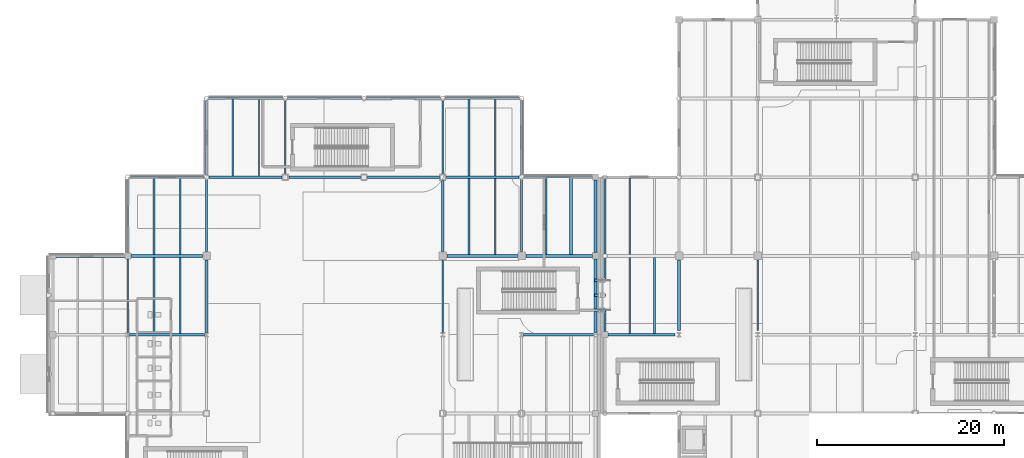
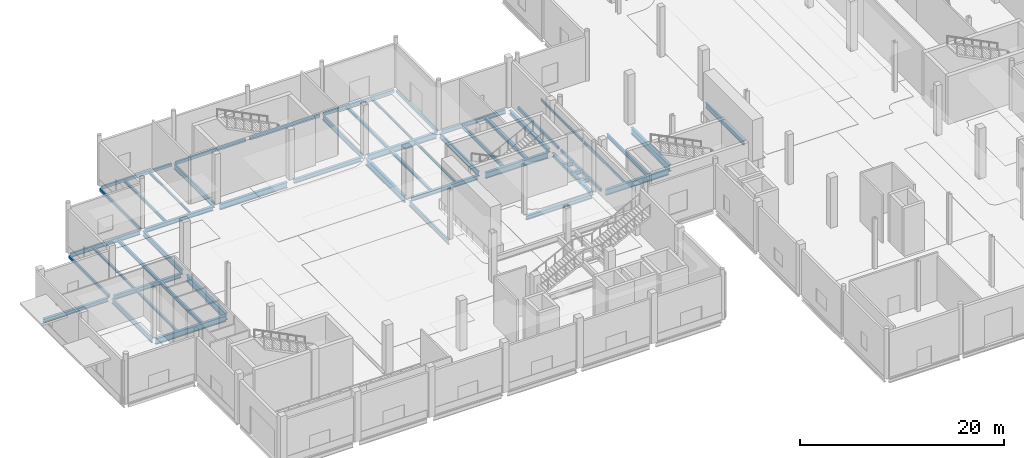
# One storey, part 21 of 85: 52 beams.
"""IFC4 building model written with IfcOpenShell, lengths in metres."""

import ifcopenshell
import ifcopenshell.guid

model = None  # the IFC model being written
_history = None  # IfcOwnerHistory: only IFC2X3 demands one
_inside = {}  # id of a spatial element -> (the spatial element, [elements in it])
_under = {}  # id of a project, library or spatial element -> (it, [spatial elements below it])
_declared = {}  # id of a project -> (the project, [libraries it declares])
_typed = {}  # id of a type object -> (the type object, [elements of that type])
_made_of = {}  # id of a material, layer set ... -> (it, [elements and type objects made of it])


def new_model(schema):
    """Start an empty IFC model of exactly this schema.

    Asked for "IFC4X3", IfcOpenShell would pick the latest addendum, in which some entities
    have other attributes; the version numbers below select the first issue.
    IFC2X3 requires an IfcOwnerHistory on every rooted entity: one is made here for all.
    """
    global model, _history
    if schema == "IFC4X3":
        model = ifcopenshell.file(schema_version=(4, 3, 0, 0))
    else:
        model = ifcopenshell.file(schema=schema)
    _inside.clear()
    _under.clear()
    _declared.clear()
    _typed.clear()
    _made_of.clear()
    _history = None
    if model.schema == "IFC2X3":
        org = make("IfcOrganization", Name="unknown")
        user = make(
            "IfcPersonAndOrganization",
            ThePerson=make("IfcPerson", FamilyName="unknown"),
            TheOrganization=org,
        )
        app = make(
            "IfcApplication",
            ApplicationDeveloper=org,
            Version="unknown",
            ApplicationFullName="unknown",
            ApplicationIdentifier="unknown",
        )
        _history = make(
            "IfcOwnerHistory",
            OwningUser=user,
            OwningApplication=app,
            ChangeAction="ADDED",
            CreationDate=0,
        )
    return model


def make(cls, **values):
    """One entity of the class cls with the attributes given. An attribute that is None is left unset."""
    return model.create_entity(
        cls, **{name: value for name, value in values.items() if value is not None}
    )


def rooted(cls, **values):
    """An entity with a GlobalId (a new one), such as an element, a storey or a relation."""
    return make(cls, GlobalId=ifcopenshell.guid.new(), OwnerHistory=_history, **values)


def si_unit(unit_type, name, prefix=None):
    """IfcSIUnit, for example si_unit("LENGTHUNIT", "METRE", prefix="MILLI")."""
    return make("IfcSIUnit", UnitType=unit_type, Prefix=prefix, Name=name)


def assignment(units):
    """IfcUnitAssignment: the units of a project."""
    return None if units is None else make("IfcUnitAssignment", Units=units)


def point(xyz):
    """IfcCartesianPoint."""
    return None if xyz is None else make("IfcCartesianPoint", Coordinates=xyz)


def direction(xyz):
    """IfcDirection."""
    return None if xyz is None else make("IfcDirection", DirectionRatios=xyz)


def frame(location, z_axis=None, x_axis=None):
    """IfcAxis2Placement3D, a coordinate frame: its origin and axes. An axis left out is left unset."""
    return make(
        "IfcAxis2Placement3D",
        Location=point(location),
        Axis=direction(z_axis),
        RefDirection=direction(x_axis),
    )


def frame_2d(location, x_axis=None):
    """IfcAxis2Placement2D, a coordinate frame in the plane: its origin and x axis."""
    return make(
        "IfcAxis2Placement2D", Location=point(location), RefDirection=direction(x_axis)
    )


def origin():
    """The frame at (0, 0, 0) with its axes left unset."""
    return frame((0.0, 0.0, 0.0))


def origin_2d():
    """The frame at (0, 0) in the plane with its x axis left unset."""
    return frame_2d((0.0, 0.0))


def place(relative_to, where):
    """IfcLocalPlacement: puts the frame where relative to a parent placement (None: the world)."""
    return make(
        "IfcLocalPlacement", PlacementRelTo=relative_to, RelativePlacement=where
    )


def context(
    kind, dimensions, precision=None, world=None, true_north=None, identifier=None
):
    """IfcGeometricRepresentationContext, for example the 3D "Model" context."""
    return make(
        "IfcGeometricRepresentationContext",
        ContextIdentifier=identifier,
        ContextType=kind,
        CoordinateSpaceDimension=dimensions,
        Precision=precision,
        WorldCoordinateSystem=world,
        TrueNorth=true_north,
    )


def subcontext(parent, identifier, kind, view, scale=None):
    """IfcGeometricRepresentationSubContext, for example "Body" below "Model"."""
    return make(
        "IfcGeometricRepresentationSubContext",
        ContextIdentifier=identifier,
        ContextType=kind,
        ParentContext=parent,
        TargetScale=scale,
        TargetView=view,
    )


def project(units=None, contexts=None):
    """IfcProject with its units and contexts."""
    return rooted(
        "IfcProject",
        Name="project",
        RepresentationContexts=contexts,
        UnitsInContext=assignment(units),
    )


def spatial(cls, under=None, at=None, **own):
    """A site, building, storey or space (cls), placed at a placement, below another one or the project."""
    s = rooted(cls, ObjectPlacement=at, **own)
    if under is not None:
        _under.setdefault(under.id(), (under, []))[1].append(s)
    return s


def profile(cls, at=None, kind="AREA", **sizes):
    """A parametric profile (cls). Its sizes go by their IFC names, for example OverallWidth=200.0."""
    return make(cls, ProfileType=kind, Position=at, **sizes)


def hollow_rectangle(**sizes):
    """IfcRectangleHollowProfileDef."""
    return profile("IfcRectangleHollowProfileDef", **sizes)


def i_section(**sizes):
    """IfcIShapeProfileDef."""
    return profile("IfcIShapeProfileDef", **sizes)


def extrude(swept, where, along, depth):
    """IfcExtrudedAreaSolid: the profile swept, set in the frame where, extruded along a direction by depth."""
    return make(
        "IfcExtrudedAreaSolid",
        SweptArea=swept,
        Position=where,
        ExtrudedDirection=direction(along),
        Depth=depth,
    )


def shape(context_of_items, identifier, shape_type, items):
    """IfcShapeRepresentation: the items that make up one representation, for example the "Body"."""
    return make(
        "IfcShapeRepresentation",
        ContextOfItems=context_of_items,
        RepresentationIdentifier=identifier,
        RepresentationType=shape_type,
        Items=items,
    )


def material(Name=None, Category=None):
    """IfcMaterial."""
    return make("IfcMaterial", Name=Name, Category=Category)


def material_profile(
    of_material, cross_section, Name=None, Category=None, Priority=None
):
    """IfcMaterialProfile: a cross section and its material."""
    return make(
        "IfcMaterialProfile",
        Name=Name,
        Material=of_material,
        Profile=cross_section,
        Priority=Priority,
        Category=Category,
    )


def profile_set(profiles, Name=None, composite=None):
    """IfcMaterialProfileSet."""
    return make(
        "IfcMaterialProfileSet",
        Name=Name,
        MaterialProfiles=profiles,
        CompositeProfile=composite,
    )


def made_of(thing, what):
    """Note that an element or type object is made of a material, layer set ...; save() writes the relation."""
    if what is not None:
        _made_of.setdefault(what.id(), (what, []))[1].append(thing)
    return thing


def type_object(cls, material=None, **own):
    """A type object (cls), such as IfcWallType, which elements share."""
    return made_of(rooted(cls, **own), material)


def element(
    cls,
    number,
    at=None,
    inside=None,
    cuts=None,
    type_object=None,
    material=None,
    context=None,
    identifier="Body",
    shape_type=None,
    held_by="IfcProductDefinitionShape",
    body=None,
    shapes=None,
    **own,
):
    """One element of the class cls, such as IfcWall. Its Tag is "e" and its number.

    at: its placement. inside: the storey or other place that contains it. cuts: it is an
    opening in that element (IfcRelVoidsElement). A single representation is given by context,
    identifier, shape_type and body (its items); several are given by shapes. held_by: the class
    of the entity that holds the representations. save() writes the other relations.
    """
    e = rooted(cls, Tag="e%d" % number, ObjectPlacement=at, **own)
    if body is not None:
        shapes = [shape(context, identifier, shape_type, body)]
    if shapes is not None:
        e.Representation = make(held_by, Representations=shapes)
    if inside is not None:
        _inside.setdefault(inside.id(), (inside, []))[1].append(e)
    if cuts is not None:
        rooted(
            "IfcRelVoidsElement", RelatingBuildingElement=cuts, RelatedOpeningElement=e
        )
    if type_object is not None:
        _typed.setdefault(type_object.id(), (type_object, []))[1].append(e)
    return made_of(e, material)


def aggregate(whole, parts):
    """IfcRelAggregates: a whole, such as a stair, and the parts it consists of."""
    return rooted("IfcRelAggregates", RelatingObject=whole, RelatedObjects=parts)


def save(model, path):
    """Write the relations noted so far, then the file.

    IfcRelAggregates (storeys below a building ...), IfcRelContainedInSpatialStructure (elements
    in a storey), IfcRelDefinesByType, IfcRelAssociatesMaterial and IfcRelDeclares: one each for
    every whole, place, type object, material and project.
    """
    for whole, parts in _under.values():
        aggregate(whole, parts)
    for where, things in _inside.values():
        rooted(
            "IfcRelContainedInSpatialStructure",
            RelatedElements=things,
            RelatingStructure=where,
        )
    for kind, things in _typed.values():
        rooted("IfcRelDefinesByType", RelatedObjects=things, RelatingType=kind)
    for what, things in _made_of.values():
        rooted("IfcRelAssociatesMaterial", RelatedObjects=things, RelatingMaterial=what)
    for by, libraries in _declared.values():
        rooted("IfcRelDeclares", RelatingContext=by, RelatedDefinitions=libraries)
    model.write(path)


model = new_model("IFC4")

# Units and contexts
model_context = context("Model", 3, precision=1e-05, world=origin(), true_north=direction((0.0, 1.0)))
body_context = subcontext(model_context, "Body", "Model", "MODEL_VIEW")
ifc_project = project(units=[si_unit("LENGTHUNIT", "METRE"), si_unit("AREAUNIT", "SQUARE_METRE"), si_unit("VOLUMEUNIT", "CUBIC_METRE"), si_unit("PLANEANGLEUNIT", "RADIAN"), si_unit("MASSUNIT", "GRAM", prefix="KILO"), si_unit("THERMODYNAMICTEMPERATUREUNIT", "KELVIN")], contexts=[model_context])

# Site, building, storey
site_placement = place(None, origin())
site = spatial("IfcSite", under=ifc_project, at=site_placement, CompositionType="ELEMENT")
building_placement = place(site_placement, origin())
building = spatial("IfcBuilding", under=site, at=building_placement, Name="Lustrewick Department Store", CompositionType="ELEMENT")
storey_placement = place(building_placement, origin())
storey = spatial("IfcBuildingStorey", under=building, at=storey_placement, Name="L01", CompositionType="ELEMENT", Elevation=0.0)

# Beams
ifc_material_1 = material(Name="Structural steel Q355B", Category="steel")
ifc_material_profile_1 = material_profile(ifc_material_1, i_section(OverallWidth=0.199951171875, OverallDepth=0.449951171875, WebThickness=0.009033203125, FlangeThickness=0.013916015625, FilletRadius=0.01611328125, at=origin_2d()), Name="HN 450x200x9x14")
ifc_profile_set_1 = profile_set([ifc_material_profile_1], Name="Structural steel Q355B")
beam_type_1 = type_object("IfcBeamType", Name="B03", PredefinedType="JOIST", material=ifc_profile_set_1)
beam_1_placement = place(storey_placement, frame((53.033203125, 75.75, -0.4951171875), z_axis=(0.0, 1.0, 0.0), x_axis=(-1.0, 0.0, 0.0)))
element("IfcBeam", 1, at=beam_1_placement, inside=storey, type_object=beam_type_1, Name="L01 V1 Secondary Joist B03", PredefinedType="JOIST", context=body_context, shape_type="SweptSolid", body=[
    extrude(i_section(OverallWidth=0.199951171875, OverallDepth=0.449951171875, WebThickness=0.009033203125, FlangeThickness=0.013916015625, FilletRadius=0.01611328125, at=origin_2d()), origin(), (0.0, 0.0, 1.0), 8.1494140625),
])
beam_2_placement = place(storey_placement, frame((64.566650390625, 67.35009765625, -0.4951171875), z_axis=(0.0, 1.0, 0.0), x_axis=(-1.0, 0.0, 0.0)))
element("IfcBeam", 2, at=beam_2_placement, inside=storey, type_object=beam_type_1, Name="L01 V2 Secondary Joist B03", PredefinedType="JOIST", context=body_context, shape_type="SweptSolid", body=[
    extrude(i_section(OverallWidth=0.199951171875, OverallDepth=0.449951171875, WebThickness=0.009033203125, FlangeThickness=0.013916015625, FilletRadius=0.01611328125, at=origin_2d()), origin(), (0.0, 0.0, 1.0), 8.099853515625),
])
ifc_material_profile_2 = material_profile(ifc_material_1, i_section(OverallWidth=0.198974609375, OverallDepth=0.446044921875, WebThickness=0.008056640625, FlangeThickness=0.011962890625, FilletRadius=0.01611328125, at=origin_2d()), Name="HN 446x199x8x12")
ifc_profile_set_2 = profile_set([ifc_material_profile_2], Name="Structural steel Q355B")
beam_type_2 = type_object("IfcBeamType", Name="B04", PredefinedType="JOIST", material=ifc_profile_set_2)
beam_3_placement = place(storey_placement, frame((14.0, 67.35009765625, -0.492919921875), z_axis=(0.0, 1.0, 0.0), x_axis=(-1.0, 0.0, 0.0)))
element("IfcBeam", 3, at=beam_3_placement, inside=storey, type_object=beam_type_2, Name="L01 V1 Secondary Joist B04", PredefinedType="JOIST", context=body_context, shape_type="SweptSolid", body=[
    extrude(i_section(OverallWidth=0.198974609375, OverallDepth=0.446044921875, WebThickness=0.008056640625, FlangeThickness=0.011962890625, FilletRadius=0.01611328125, at=origin_2d()), origin(), (0.0, 0.0, 1.0), 8.099853515625),
])
beam_4_placement = place(storey_placement, frame((14.0, 75.75, -0.492919921875), z_axis=(0.0, 1.0, 0.0), x_axis=(-1.0, 0.0, 0.0)))
element("IfcBeam", 4, at=beam_4_placement, inside=storey, type_object=beam_type_2, Name="L01 V1 Secondary Joist B04", PredefinedType="JOIST", context=body_context, shape_type="SweptSolid", body=[
    extrude(i_section(OverallWidth=0.198974609375, OverallDepth=0.446044921875, WebThickness=0.008056640625, FlangeThickness=0.011962890625, FilletRadius=0.01611328125, at=origin_2d()), origin(), (0.0, 0.0, 1.0), 8.1494140625),
])
ifc_material_profile_3 = material_profile(ifc_material_1, i_section(OverallWidth=0.300048828125, OverallDepth=0.389892578125, WebThickness=0.010009765625, FlangeThickness=0.01611328125, FilletRadius=0.01806640625, at=origin_2d()), Name="HM 390x300x10x16")
ifc_profile_set_3 = profile_set([ifc_material_profile_3], Name="Structural steel Q355B")
beam_type_3 = type_object("IfcBeamType", Name="B07", PredefinedType="JOIST", material=ifc_profile_set_3)
beam_5_placement = place(storey_placement, frame((55.666748046875, 75.75, -0.465087890625), z_axis=(0.0, 1.0, 0.0), x_axis=(-1.0, 0.0, 0.0)))
element("IfcBeam", 5, at=beam_5_placement, inside=storey, type_object=beam_type_3, Name="L01 V1 Secondary Joist B07", PredefinedType="JOIST", context=body_context, shape_type="SweptSolid", body=[
    extrude(i_section(OverallWidth=0.300048828125, OverallDepth=0.389892578125, WebThickness=0.010009765625, FlangeThickness=0.01611328125, FilletRadius=0.01806640625, at=origin_2d()), origin(), (0.0, 0.0, 1.0), 8.1494140625),
])
ifc_material_profile_4 = material_profile(ifc_material_1, i_section(OverallWidth=0.25, OverallDepth=0.340087890625, WebThickness=0.009033203125, FlangeThickness=0.013916015625, FilletRadius=0.01611328125, at=origin_2d()), Name="HM 340x250x9x14")
ifc_profile_set_4 = profile_set([ifc_material_profile_4], Name="Structural steel Q355B")
beam_type_4 = type_object("IfcBeamType", Name="B08", PredefinedType="JOIST", material=ifc_profile_set_4)
beam_6_placement = place(storey_placement, frame((44.800048828125, 75.75, -0.43994140625), z_axis=(0.0, 1.0, 0.0), x_axis=(-1.0, 0.0, 0.0)))
element("IfcBeam", 6, at=beam_6_placement, inside=storey, type_object=beam_type_4, Name="L01 V1 Secondary Joist B08", PredefinedType="JOIST", context=body_context, shape_type="SweptSolid", body=[
    extrude(i_section(OverallWidth=0.25, OverallDepth=0.340087890625, WebThickness=0.009033203125, FlangeThickness=0.013916015625, FilletRadius=0.01611328125, at=origin_2d()), origin(), (0.0, 0.0, 1.0), 8.10009765625),
])
beam_7_placement = place(storey_placement, frame((44.800048828125, 84.14990234375, -0.43994140625), z_axis=(0.0, 1.0, 0.0), x_axis=(-1.0, 0.0, 0.0)))
element("IfcBeam", 7, at=beam_7_placement, inside=storey, type_object=beam_type_4, Name="L01 V1 Secondary Joist B08", PredefinedType="JOIST", context=body_context, shape_type="SweptSolid", body=[
    extrude(i_section(OverallWidth=0.25, OverallDepth=0.340087890625, WebThickness=0.009033203125, FlangeThickness=0.013916015625, FilletRadius=0.01611328125, at=origin_2d()), origin(), (0.0, 0.0, 1.0), 8.150146484375),
])
ifc_material_profile_5 = material_profile(ifc_material_1, i_section(OverallWidth=0.175048828125, OverallDepth=0.35009765625, WebThickness=0.007080078125, FlangeThickness=0.010986328125, FilletRadius=0.012939453125, at=origin_2d()), Name="HN 350x175x7x11")
ifc_profile_set_5 = profile_set([ifc_material_profile_5], Name="Structural steel Q355B")
beam_type_5 = type_object("IfcBeamType", Name="B09", PredefinedType="JOIST", material=ifc_profile_set_5)
beam_8_placement = place(storey_placement, frame((19.60009765625, 84.14990234375, -0.445068359375), z_axis=(0.0, 1.0, 0.0), x_axis=(-1.0, 0.0, 0.0)))
element("IfcBeam", 8, at=beam_8_placement, inside=storey, type_object=beam_type_5, Name="L01 V1 Secondary Joist B09", PredefinedType="JOIST", context=body_context, shape_type="SweptSolid", body=[
    extrude(i_section(OverallWidth=0.175048828125, OverallDepth=0.35009765625, WebThickness=0.007080078125, FlangeThickness=0.010986328125, FilletRadius=0.012939453125, at=origin_2d()), origin(), (0.0, 0.0, 1.0), 8.150146484375),
])
ifc_material_profile_6 = material_profile(ifc_material_1, i_section(OverallWidth=0.14892578125, OverallDepth=0.298095703125, WebThickness=0.005615234375, FlangeThickness=0.008056640625, FilletRadius=0.011962890625, at=origin_2d()), Name="HN 298x149x5.5x8")
ifc_profile_set_6 = profile_set([ifc_material_profile_6], Name="Structural steel Q355B")
beam_type_6 = type_object("IfcBeamType", Name="B12", PredefinedType="JOIST", material=ifc_profile_set_6)
beam_9_placement = place(storey_placement, frame((47.60009765625, 75.75, -0.4189453125), z_axis=(0.0, 1.0, 0.0), x_axis=(-1.0, 0.0, 0.0)))
element("IfcBeam", 9, at=beam_9_placement, inside=storey, type_object=beam_type_6, Name="L01 V1 Secondary Joist B12", PredefinedType="JOIST", context=body_context, shape_type="SweptSolid", body=[
    extrude(i_section(OverallWidth=0.14892578125, OverallDepth=0.298095703125, WebThickness=0.005615234375, FlangeThickness=0.008056640625, FilletRadius=0.011962890625, at=origin_2d()), origin(), (0.0, 0.0, 1.0), 8.10009765625),
])
for number, where, z_axis, x_axis, name in (
    (10, (22.39990234375, 84.14990234375, -0.4189453125), (0.0, 1.0, 0.0), (-1.0, 0.0, 0.0), "L01 V1 Secondary Joist B12"),
    (11, (47.60009765625, 84.14990234375, -0.4189453125), (0.0, 1.0, 0.0), (-1.0, 0.0, 0.0), "L01 V1 Secondary Joist B12"),
):
    element("IfcBeam", number, at=place(storey_placement, frame(where, z_axis=z_axis, x_axis=x_axis)), inside=storey, type_object=beam_type_6, Name=name, PredefinedType="JOIST", context=body_context, shape_type="SweptSolid", body=[
        extrude(i_section(OverallWidth=0.14892578125, OverallDepth=0.298095703125, WebThickness=0.005615234375, FlangeThickness=0.008056640625, FilletRadius=0.011962890625, at=origin_2d()), origin(), (0.0, 0.0, 1.0), 8.150146484375),
    ])
beam_10_placement = place(storey_placement, frame((61.933349609375, 67.35009765625, -0.4189453125), z_axis=(0.0, 1.0, 0.0), x_axis=(-1.0, 0.0, 0.0)))
element("IfcBeam", 12, at=beam_10_placement, inside=storey, type_object=beam_type_6, Name="L01 V2 Secondary Joist B12", PredefinedType="JOIST", context=body_context, shape_type="SweptSolid", body=[
    extrude(i_section(OverallWidth=0.14892578125, OverallDepth=0.298095703125, WebThickness=0.005615234375, FlangeThickness=0.008056640625, FilletRadius=0.011962890625, at=origin_2d()), origin(), (0.0, 0.0, 1.0), 8.099853515625),
])
beam_11_placement = place(storey_placement, frame((61.933349609375, 75.75, -0.4189453125), z_axis=(0.0, 1.0, 0.0), x_axis=(-1.0, 0.0, 0.0)))
element("IfcBeam", 13, at=beam_11_placement, inside=storey, type_object=beam_type_6, Name="L01 V2 Secondary Joist B12", PredefinedType="JOIST", context=body_context, shape_type="SweptSolid", body=[
    extrude(i_section(OverallWidth=0.14892578125, OverallDepth=0.298095703125, WebThickness=0.005615234375, FlangeThickness=0.008056640625, FilletRadius=0.011962890625, at=origin_2d()), origin(), (0.0, 0.0, 1.0), 8.1494140625),
])
ifc_material_profile_7 = material_profile(ifc_material_1, i_section(OverallWidth=0.199951171875, OverallDepth=0.2939453125, WebThickness=0.008056640625, FlangeThickness=0.011962890625, FilletRadius=0.013916015625, at=origin_2d()), Name="HM 294x200x8x12")
ifc_profile_set_7 = profile_set([ifc_material_profile_7], Name="Structural steel Q355B")
beam_type_7 = type_object("IfcBeamType", Name="B13", PredefinedType="JOIST", material=ifc_profile_set_7)
beam_12_placement = place(storey_placement, frame((11.199951171875, 67.35009765625, -0.4169921875), z_axis=(0.0, 1.0, 0.0), x_axis=(-1.0, 0.0, 0.0)))
element("IfcBeam", 14, at=beam_12_placement, inside=storey, type_object=beam_type_7, Name="L01 V1 Secondary Joist B13", PredefinedType="JOIST", context=body_context, shape_type="SweptSolid", body=[
    extrude(i_section(OverallWidth=0.199951171875, OverallDepth=0.2939453125, WebThickness=0.008056640625, FlangeThickness=0.011962890625, FilletRadius=0.013916015625, at=origin_2d()), origin(), (0.0, 0.0, 1.0), 8.099853515625),
])
beam_13_placement = place(storey_placement, frame((11.199951171875, 75.75, -0.4169921875), z_axis=(0.0, 1.0, 0.0), x_axis=(-1.0, 0.0, 0.0)))
element("IfcBeam", 15, at=beam_13_placement, inside=storey, type_object=beam_type_7, Name="L01 V1 Secondary Joist B13", PredefinedType="JOIST", context=body_context, shape_type="SweptSolid", body=[
    extrude(i_section(OverallWidth=0.199951171875, OverallDepth=0.2939453125, WebThickness=0.008056640625, FlangeThickness=0.011962890625, FilletRadius=0.013916015625, at=origin_2d()), origin(), (0.0, 0.0, 1.0), 8.1494140625),
])
ifc_material_2 = material(Name="Structural steel Q355C", Category="steel")
ifc_material_profile_8 = material_profile(ifc_material_2, i_section(OverallWidth=0.302001953125, OverallDepth=0.80810546875, WebThickness=0.01611328125, FlangeThickness=0.030029296875, FilletRadius=0.02197265625, at=origin_2d()), Name="HN 808x302x16x30")
ifc_profile_set_8 = profile_set([ifc_material_profile_8], Name="Structural steel Q355C")
beam_type_8 = type_object("IfcBeamType", Name="G04", PredefinedType="BEAM", material=ifc_profile_set_8)
beam_14_placement = place(storey_placement, frame((67.199951171875, 67.64990234375, -0.674072265625), z_axis=(0.0, 1.0, 0.0), x_axis=(-1.0, 0.0, 0.0)))
element("IfcBeam", 16, at=beam_14_placement, inside=storey, type_object=beam_type_8, Name="L01 V2 Girder G04", PredefinedType="BEAM", context=body_context, shape_type="SweptSolid", body=[
    extrude(i_section(OverallWidth=0.302001953125, OverallDepth=0.80810546875, WebThickness=0.01611328125, FlangeThickness=0.030029296875, FilletRadius=0.02197265625, at=origin_2d()), origin(), (0.0, 0.0, 1.0), 7.525146484375),
])
ifc_material_profile_9 = material_profile(ifc_material_1, i_section(OverallWidth=0.300048828125, OverallDepth=0.800048828125, WebThickness=0.013916015625, FlangeThickness=0.02587890625, FilletRadius=0.02197265625, at=origin_2d()), Name="HN 800x300x14x26")
ifc_profile_set_9 = profile_set([ifc_material_profile_9], Name="Structural steel Q355B")
beam_type_9 = type_object("IfcBeamType", Name="G05", PredefinedType="BEAM", material=ifc_profile_set_9)
beam_15_placement = place(storey_placement, frame((16.800048828125, 67.4140625, -0.669921875), z_axis=(0.0, 1.0, 0.0), x_axis=(-1.0, 0.0, 0.0)))
element("IfcBeam", 17, at=beam_15_placement, inside=storey, type_object=beam_type_9, Name="L01 V1 Girder G05", PredefinedType="BEAM", context=body_context, shape_type="SweptSolid", body=[
    extrude(i_section(OverallWidth=0.300048828125, OverallDepth=0.800048828125, WebThickness=0.013916015625, FlangeThickness=0.02587890625, FilletRadius=0.02197265625, at=origin_2d()), origin(), (0.0, 0.0, 1.0), 7.73583984375),
])
beam_16_placement = place(storey_placement, frame((42.0, 76.050048828125, -0.669921875), z_axis=(0.0, 1.0, 0.0), x_axis=(-1.0, 0.0, 0.0)))
element("IfcBeam", 18, at=beam_16_placement, inside=storey, type_object=beam_type_9, Name="L01 V1 Girder G05", PredefinedType="BEAM", context=body_context, shape_type="SweptSolid", body=[
    extrude(i_section(OverallWidth=0.300048828125, OverallDepth=0.800048828125, WebThickness=0.013916015625, FlangeThickness=0.02587890625, FilletRadius=0.02197265625, at=origin_2d()), origin(), (0.0, 0.0, 1.0), 7.574951171875),
])
ifc_material_profile_10 = material_profile(ifc_material_1, i_section(OverallWidth=0.300048828125, OverallDepth=0.699951171875, WebThickness=0.012939453125, FlangeThickness=0.02392578125, FilletRadius=0.02001953125, at=origin_2d()), Name="HN 700x300x13x24")
ifc_profile_set_10 = profile_set([ifc_material_profile_10], Name="Structural steel Q355B")
beam_type_10 = type_object("IfcBeamType", Name="G08", PredefinedType="BEAM", material=ifc_profile_set_10)
beam_17_placement = place(storey_placement, frame((50.85009765625, 75.60009765625, -0.6201171875), z_axis=(1.0, 0.0, 0.0), x_axis=(0.0, 1.0, 0.0)))
element("IfcBeam", 19, at=beam_17_placement, inside=storey, type_object=beam_type_10, Name="L01 V1 Girder G08", PredefinedType="BEAM", context=body_context, shape_type="SweptSolid", body=[
    extrude(i_section(OverallWidth=0.300048828125, OverallDepth=0.699951171875, WebThickness=0.012939453125, FlangeThickness=0.02392578125, FilletRadius=0.02001953125, at=origin_2d()), origin(), (0.0, 0.0, 1.0), 7.099853515625),
])
beam_18_placement = place(storey_placement, frame((25.574951171875, 84.0, -0.6201171875), z_axis=(1.0, 0.0, 0.0), x_axis=(0.0, 1.0, 0.0)))
element("IfcBeam", 20, at=beam_18_placement, inside=storey, type_object=beam_type_10, Name="L01 V1 Girder G08", PredefinedType="BEAM", context=body_context, shape_type="SweptSolid", body=[
    extrude(i_section(OverallWidth=0.300048828125, OverallDepth=0.699951171875, WebThickness=0.012939453125, FlangeThickness=0.02392578125, FilletRadius=0.02001953125, at=origin_2d()), origin(), (0.0, 0.0, 1.0), 7.650146484375),
])
beam_19_placement = place(storey_placement, frame((42.375, 84.0, -0.6201171875), z_axis=(1.0, 0.0, 0.0), x_axis=(0.0, 1.0, 0.0)))
element("IfcBeam", 21, at=beam_19_placement, inside=storey, type_object=beam_type_10, Name="L01 V1 Girder G08", PredefinedType="BEAM", context=body_context, shape_type="SweptSolid", body=[
    extrude(i_section(OverallWidth=0.300048828125, OverallDepth=0.699951171875, WebThickness=0.012939453125, FlangeThickness=0.02392578125, FilletRadius=0.02001953125, at=origin_2d()), origin(), (0.0, 0.0, 1.0), 7.77099609375),
])
beam_20_placement = place(storey_placement, frame((59.625, 67.199951171875, -0.6201171875), z_axis=(1.0, 0.0, 0.0), x_axis=(0.0, 1.0, 0.0)))
element("IfcBeam", 22, at=beam_20_placement, inside=storey, type_object=beam_type_10, Name="L01 V2 Girder G08", PredefinedType="BEAM", context=body_context, shape_type="SweptSolid", body=[
    extrude(i_section(OverallWidth=0.300048828125, OverallDepth=0.699951171875, WebThickness=0.012939453125, FlangeThickness=0.02392578125, FilletRadius=0.02001953125, at=origin_2d()), origin(), (0.0, 0.0, 1.0), 7.125),
])
ifc_material_profile_11 = material_profile(ifc_material_1, i_section(OverallWidth=0.300048828125, OverallDepth=0.69189453125, WebThickness=0.012939453125, FlangeThickness=0.02001953125, FilletRadius=0.02001953125, at=origin_2d()), Name="HN 692x300x13x20")
ifc_profile_set_11 = profile_set([ifc_material_profile_11], Name="Structural steel Q355B")
beam_type_11 = type_object("IfcBeamType", Name="G09", PredefinedType="BEAM", material=ifc_profile_set_11)
beam_21_placement = place(storey_placement, frame((8.603515625, 67.199951171875, -0.615966796875), z_axis=(1.0, 0.0, 0.0), x_axis=(0.0, 1.0, 0.0)))
element("IfcBeam", 23, at=beam_21_placement, inside=storey, type_object=beam_type_11, Name="L01 V1 Girder G09", PredefinedType="BEAM", context=body_context, shape_type="SweptSolid", body=[
    extrude(i_section(OverallWidth=0.300048828125, OverallDepth=0.69189453125, WebThickness=0.012939453125, FlangeThickness=0.02001953125, FilletRadius=0.02001953125, at=origin_2d()), origin(), (0.0, 0.0, 1.0), 7.992919921875),
])
ifc_material_profile_12 = material_profile(ifc_material_1, i_section(OverallWidth=0.200927734375, OverallDepth=0.60595703125, WebThickness=0.011962890625, FlangeThickness=0.02001953125, FilletRadius=0.01806640625, at=origin_2d()), Name="HN 606x201x12x20")
ifc_profile_set_12 = profile_set([ifc_material_profile_12], Name="Structural steel Q355B")
beam_type_12 = type_object("IfcBeamType", Name="G13", PredefinedType="BEAM", material=ifc_profile_set_12)
beam_22_placement = place(storey_placement, frame((16.800048828125, 76.050048828125, -0.572998046875), z_axis=(0.0, 1.0, 0.0), x_axis=(-1.0, 0.0, 0.0)))
element("IfcBeam", 24, at=beam_22_placement, inside=storey, type_object=beam_type_12, Name="L01 V1 Girder G13", PredefinedType="BEAM", context=body_context, shape_type="SweptSolid", body=[
    extrude(i_section(OverallWidth=0.200927734375, OverallDepth=0.60595703125, WebThickness=0.011962890625, FlangeThickness=0.02001953125, FilletRadius=0.01806640625, at=origin_2d()), origin(), (0.0, 0.0, 1.0), 7.696044921875),
])
beam_23_placement = place(storey_placement, frame((25.199951171875, 84.375, -0.572998046875), z_axis=(0.0, 1.0, 0.0), x_axis=(-1.0, 0.0, 0.0)))
element("IfcBeam", 25, at=beam_23_placement, inside=storey, type_object=beam_type_12, Name="L01 V1 Girder G13", PredefinedType="BEAM", context=body_context, shape_type="SweptSolid", body=[
    extrude(i_section(OverallWidth=0.200927734375, OverallDepth=0.60595703125, WebThickness=0.011962890625, FlangeThickness=0.02001953125, FilletRadius=0.01806640625, at=origin_2d()), origin(), (0.0, 0.0, 1.0), 7.79638671875),
])
beam_24_placement = place(storey_placement, frame((42.0, 67.4140625, -0.572998046875), z_axis=(0.0, 1.0, 0.0), x_axis=(-1.0, 0.0, 0.0)))
element("IfcBeam", 26, at=beam_24_placement, inside=storey, type_object=beam_type_12, Name="L01 V1 Girder G13", PredefinedType="BEAM", context=body_context, shape_type="SweptSolid", body=[
    extrude(i_section(OverallWidth=0.200927734375, OverallDepth=0.60595703125, WebThickness=0.011962890625, FlangeThickness=0.02001953125, FilletRadius=0.01806640625, at=origin_2d()), origin(), (0.0, 0.0, 1.0), 7.73583984375),
])
beam_25_placement = place(storey_placement, frame((42.0, 84.375, -0.572998046875), z_axis=(0.0, 1.0, 0.0), x_axis=(-1.0, 0.0, 0.0)))
element("IfcBeam", 27, at=beam_25_placement, inside=storey, type_object=beam_type_12, Name="L01 V1 Girder G13", PredefinedType="BEAM", context=body_context, shape_type="SweptSolid", body=[
    extrude(i_section(OverallWidth=0.200927734375, OverallDepth=0.60595703125, WebThickness=0.011962890625, FlangeThickness=0.02001953125, FilletRadius=0.01806640625, at=origin_2d()), origin(), (0.0, 0.0, 1.0), 7.79638671875),
])
beam_26_placement = place(storey_placement, frame((50.39990234375, 76.050048828125, -0.572998046875), z_axis=(0.0, 1.0, 0.0), x_axis=(-1.0, 0.0, 0.0)))
element("IfcBeam", 28, at=beam_26_placement, inside=storey, type_object=beam_type_12, Name="L01 V1 Girder G13", PredefinedType="BEAM", context=body_context, shape_type="SweptSolid", body=[
    extrude(i_section(OverallWidth=0.200927734375, OverallDepth=0.60595703125, WebThickness=0.011962890625, FlangeThickness=0.02001953125, FilletRadius=0.01806640625, at=origin_2d()), origin(), (0.0, 0.0, 1.0), 7.696044921875),
])
beam_27_placement = place(storey_placement, frame((75.60009765625, 67.64990234375, -0.572998046875), z_axis=(0.0, 1.0, 0.0), x_axis=(-1.0, 0.0, 0.0)))
element("IfcBeam", 29, at=beam_27_placement, inside=storey, type_object=beam_type_12, Name="L01 V2 Girder G13", PredefinedType="BEAM", context=body_context, shape_type="SweptSolid", body=[
    extrude(i_section(OverallWidth=0.200927734375, OverallDepth=0.60595703125, WebThickness=0.011962890625, FlangeThickness=0.02001953125, FilletRadius=0.01806640625, at=origin_2d()), origin(), (0.0, 0.0, 1.0), 7.525146484375),
])
ifc_material_profile_13 = material_profile(ifc_material_1, i_section(OverallWidth=0.199951171875, OverallDepth=0.60009765625, WebThickness=0.010986328125, FlangeThickness=0.01708984375, FilletRadius=0.01806640625, at=origin_2d()), Name="HN 600x200x11x17")
ifc_profile_set_13 = profile_set([ifc_material_profile_13], Name="Structural steel Q355B")
beam_type_13 = type_object("IfcBeamType", Name="G14", PredefinedType="BEAM", material=ifc_profile_set_13)
beam_28_placement = place(storey_placement, frame((8.39990234375, 67.4140625, -0.570068359375), z_axis=(0.0, 1.0, 0.0), x_axis=(-1.0, 0.0, 0.0)))
element("IfcBeam", 30, at=beam_28_placement, inside=storey, type_object=beam_type_13, Name="L01 V1 Girder G14", PredefinedType="BEAM", context=body_context, shape_type="SweptSolid", body=[
    extrude(i_section(OverallWidth=0.199951171875, OverallDepth=0.60009765625, WebThickness=0.010986328125, FlangeThickness=0.01708984375, FilletRadius=0.01806640625, at=origin_2d()), origin(), (0.0, 0.0, 1.0), 7.86083984375),
])
ifc_material_profile_14 = material_profile(ifc_material_1, i_section(OverallWidth=0.300048828125, OverallDepth=0.488037109375, WebThickness=0.010986328125, FlangeThickness=0.01806640625, FilletRadius=0.02197265625, at=origin_2d()), Name="HM 488x300x11x18")
ifc_profile_set_14 = profile_set([ifc_material_profile_14], Name="Structural steel Q355B")
beam_type_14 = type_object("IfcBeamType", Name="G16", PredefinedType="BEAM", material=ifc_profile_set_14)
for number, where, z_axis, x_axis, name in (
    (31, (58.199951171875, 69.800048828125, -0.4990234375), (1.0, 0.0, 0.0), (0.0, 1.0, 0.0), "L01 Skybridge SB12 Girder 1"),
    (32, (58.199951171875, 73.0, -0.4990234375), (1.0, 0.0, 0.0), (0.0, 1.0, 0.0), "L01 Skybridge SB12 Girder 2"),
    (33, (58.199951171875, 71.39990234375, -0.4990234375), (1.0, 0.0, 0.0), (0.0, 1.0, 0.0), "L01 Skybridge SB12 Girder 3"),
):
    element("IfcBeam", number, at=place(storey_placement, frame(where, z_axis=z_axis, x_axis=x_axis)), inside=storey, type_object=beam_type_14, Name=name, PredefinedType="BEAM", context=body_context, shape_type="SweptSolid", body=[
        extrude(i_section(OverallWidth=0.300048828125, OverallDepth=0.488037109375, WebThickness=0.010986328125, FlangeThickness=0.01806640625, FilletRadius=0.02197265625, at=origin_2d()), origin(), (0.0, 0.0, 1.0), 1.14013671875),
    ])
ifc_material_profile_15 = material_profile(ifc_material_1, i_section(OverallWidth=0.300048828125, OverallDepth=0.48193359375, WebThickness=0.010986328125, FlangeThickness=0.014892578125, FilletRadius=0.02197265625, at=origin_2d()), Name="HM 482x300x11x15")
ifc_profile_set_15 = profile_set([ifc_material_profile_15], Name="Structural steel Q355B")
beam_type_15 = type_object("IfcBeamType", Name="G20", PredefinedType="BEAM", material=ifc_profile_set_15)
beam_29_placement = place(storey_placement, frame((50.603515625, 67.199951171875, -0.510986328125), z_axis=(1.0, 0.0, 0.0), x_axis=(0.0, 1.0, 0.0)))
element("IfcBeam", 34, at=beam_29_placement, inside=storey, type_object=beam_type_15, Name="L01 V1 Girder G20", PredefinedType="BEAM", context=body_context, shape_type="SweptSolid", body=[
    extrude(i_section(OverallWidth=0.300048828125, OverallDepth=0.48193359375, WebThickness=0.010986328125, FlangeThickness=0.014892578125, FilletRadius=0.02197265625, at=origin_2d()), origin(), (0.0, 0.0, 1.0), 7.468017578125),
])
beam_30_placement = place(storey_placement, frame((8.72509765625, 75.60009765625, -0.510986328125), z_axis=(1.0, 0.0, 0.0), x_axis=(0.0, 1.0, 0.0)))
element("IfcBeam", 35, at=beam_30_placement, inside=storey, type_object=beam_type_15, Name="L01 V1 Girder G20", PredefinedType="BEAM", context=body_context, shape_type="SweptSolid", body=[
    extrude(i_section(OverallWidth=0.300048828125, OverallDepth=0.48193359375, WebThickness=0.010986328125, FlangeThickness=0.014892578125, FilletRadius=0.02197265625, at=origin_2d()), origin(), (0.0, 0.0, 1.0), 7.625),
])
beam_31_placement = place(storey_placement, frame((42.449951171875, 75.60009765625, -0.510986328125), z_axis=(1.0, 0.0, 0.0), x_axis=(0.0, 1.0, 0.0)))
element("IfcBeam", 36, at=beam_31_placement, inside=storey, type_object=beam_type_15, Name="L01 V1 Girder G20", PredefinedType="BEAM", context=body_context, shape_type="SweptSolid", body=[
    extrude(i_section(OverallWidth=0.300048828125, OverallDepth=0.48193359375, WebThickness=0.010986328125, FlangeThickness=0.014892578125, FilletRadius=0.02197265625, at=origin_2d()), origin(), (0.0, 0.0, 1.0), 7.5),
])
beam_32_placement = place(storey_placement, frame((17.053955078125, 84.0, -0.510986328125), z_axis=(1.0, 0.0, 0.0), x_axis=(0.0, 1.0, 0.0)))
element("IfcBeam", 37, at=beam_32_placement, inside=storey, type_object=beam_type_15, Name="L01 V1 Girder G20", PredefinedType="BEAM", context=body_context, shape_type="SweptSolid", body=[
    extrude(i_section(OverallWidth=0.300048828125, OverallDepth=0.48193359375, WebThickness=0.010986328125, FlangeThickness=0.014892578125, FilletRadius=0.02197265625, at=origin_2d()), origin(), (0.0, 0.0, 1.0), 7.77099609375),
])
beam_33_placement = place(storey_placement, frame((33.97509765625, 84.0, -0.510986328125), z_axis=(1.0, 0.0, 0.0), x_axis=(0.0, 1.0, 0.0)))
element("IfcBeam", 38, at=beam_33_placement, inside=storey, type_object=beam_type_15, Name="L01 V1 Girder G20", PredefinedType="BEAM", context=body_context, shape_type="SweptSolid", body=[
    extrude(i_section(OverallWidth=0.300048828125, OverallDepth=0.48193359375, WebThickness=0.010986328125, FlangeThickness=0.014892578125, FilletRadius=0.02197265625, at=origin_2d()), origin(), (0.0, 0.0, 1.0), 7.64990234375),
])
ifc_material_profile_16 = material_profile(ifc_material_1, i_section(OverallWidth=0.200927734375, OverallDepth=0.506103515625, WebThickness=0.010986328125, FlangeThickness=0.01904296875, FilletRadius=0.01611328125, at=origin_2d()), Name="HN 506x201x11x19")
ifc_profile_set_16 = profile_set([ifc_material_profile_16], Name="Structural steel Q355B")
beam_type_16 = type_object("IfcBeamType", Name="SP01", PredefinedType="SPANDREL", material=ifc_profile_set_16)
beam_34_placement = place(storey_placement, frame((8.654052734375, 84.0, -0.52294921875), z_axis=(1.0, 0.0, 0.0), x_axis=(0.0, 1.0, 0.0)))
element("IfcBeam", 39, at=beam_34_placement, inside=storey, type_object=beam_type_16, Name="L01 V1 Girder SP01", PredefinedType="SPANDREL", context=body_context, shape_type="SweptSolid", body=[
    extrude(i_section(OverallWidth=0.200927734375, OverallDepth=0.506103515625, WebThickness=0.010986328125, FlangeThickness=0.01904296875, FilletRadius=0.01611328125, at=origin_2d()), origin(), (0.0, 0.0, 1.0), 7.891845703125),
])
beam_35_placement = place(storey_placement, frame((50.654052734375, 84.0, -0.52294921875), z_axis=(1.0, 0.0, 0.0), x_axis=(0.0, 1.0, 0.0)))
element("IfcBeam", 40, at=beam_35_placement, inside=storey, type_object=beam_type_16, Name="L01 V1 Girder SP01", PredefinedType="SPANDREL", context=body_context, shape_type="SweptSolid", body=[
    extrude(i_section(OverallWidth=0.200927734375, OverallDepth=0.506103515625, WebThickness=0.010986328125, FlangeThickness=0.01904296875, FilletRadius=0.01611328125, at=origin_2d()), origin(), (0.0, 0.0, 1.0), 7.321044921875),
])
ifc_material_profile_17 = material_profile(ifc_material_1, i_section(OverallWidth=0.300048828125, OverallDepth=0.43994140625, WebThickness=0.010986328125, FlangeThickness=0.01806640625, FilletRadius=0.02001953125, at=origin_2d()), Name="HM 440x300x11x18")
ifc_profile_set_17 = profile_set([ifc_material_profile_17], Name="Structural steel Q355B")
beam_type_17 = type_object("IfcBeamType", Name="SP02", PredefinedType="SPANDREL", material=ifc_profile_set_17)
beam_36_placement = place(storey_placement, frame((0.72509765625, 75.60009765625, -0.489990234375), z_axis=(1.0, 0.0, 0.0), x_axis=(0.0, 1.0, 0.0)))
element("IfcBeam", 41, at=beam_36_placement, inside=storey, type_object=beam_type_17, Name="L01 V1 Girder SP02", PredefinedType="SPANDREL", context=body_context, shape_type="SweptSolid", body=[
    extrude(i_section(OverallWidth=0.300048828125, OverallDepth=0.43994140625, WebThickness=0.010986328125, FlangeThickness=0.01806640625, FilletRadius=0.02001953125, at=origin_2d()), origin(), (0.0, 0.0, 1.0), 7.349853515625),
])
beam_37_placement = place(storey_placement, frame((58.300048828125, 67.428466796875, -0.489990234375), z_axis=(0.0, 1.0, 0.0), x_axis=(-1.0, 0.0, 0.0)))
element("IfcBeam", 42, at=beam_37_placement, inside=storey, type_object=beam_type_17, Name="L01 V1 Girder SP02", PredefinedType="SPANDREL", context=body_context, shape_type="SweptSolid", body=[
    extrude(i_section(OverallWidth=0.300048828125, OverallDepth=0.43994140625, WebThickness=0.010986328125, FlangeThickness=0.01806640625, FilletRadius=0.02001953125, at=origin_2d()), origin(), (0.0, 0.0, 1.0), 7.821533203125),
])
beam_38_placement = place(storey_placement, frame((58.300048828125, 75.949951171875, -0.489990234375), z_axis=(0.0, 1.0, 0.0), x_axis=(-1.0, 0.0, 0.0)))
element("IfcBeam", 43, at=beam_38_placement, inside=storey, type_object=beam_type_17, Name="L01 V1 Girder SP02", PredefinedType="SPANDREL", context=body_context, shape_type="SweptSolid", body=[
    extrude(i_section(OverallWidth=0.300048828125, OverallDepth=0.43994140625, WebThickness=0.010986328125, FlangeThickness=0.01806640625, FilletRadius=0.02001953125, at=origin_2d()), origin(), (0.0, 0.0, 1.0), 7.72509765625),
])
ifc_material_profile_18 = material_profile(ifc_material_2, hollow_rectangle(XDim=0.199951171875, YDim=0.35009765625, WallThickness=0.011962890625, at=origin_2d()), Name="RHS 350x200x12")
ifc_profile_set_18 = profile_set([ifc_material_profile_18], Name="Structural steel Q355C")
beam_type_18 = type_object("IfcBeamType", Name="SP03", PredefinedType="SPANDREL", material=ifc_profile_set_18)
beam_39_placement = place(storey_placement, frame((17.028564453125, 92.39990234375, -0.445068359375), z_axis=(1.0, 0.0, 0.0), x_axis=(0.0, 1.0, 0.0)))
element("IfcBeam", 44, at=beam_39_placement, inside=storey, type_object=beam_type_18, Name="L01 V1 Girder SP03", PredefinedType="SPANDREL", context=body_context, shape_type="SweptSolid", body=[
    extrude(hollow_rectangle(XDim=0.199951171875, YDim=0.35009765625, WallThickness=0.011962890625, at=origin_2d()), origin(), (0.0, 0.0, 1.0), 7.94287109375),
])
beam_40_placement = place(storey_placement, frame((25.428466796875, 92.39990234375, -0.445068359375), z_axis=(1.0, 0.0, 0.0), x_axis=(0.0, 1.0, 0.0)))
element("IfcBeam", 45, at=beam_40_placement, inside=storey, type_object=beam_type_18, Name="L01 V1 Girder SP03", PredefinedType="SPANDREL", context=body_context, shape_type="SweptSolid", body=[
    extrude(hollow_rectangle(XDim=0.199951171875, YDim=0.35009765625, WallThickness=0.011962890625, at=origin_2d()), origin(), (0.0, 0.0, 1.0), 7.943115234375),
])
for number, where, z_axis, x_axis, name in (
    (46, (33.82861328125, 92.39990234375, -0.445068359375), (1.0, 0.0, 0.0), (0.0, 1.0, 0.0), "L01 V1 Girder SP03"),
    (47, (42.228515625, 92.39990234375, -0.445068359375), (1.0, 0.0, 0.0), (0.0, 1.0, 0.0), "L01 V1 Girder SP03"),
):
    element("IfcBeam", number, at=place(storey_placement, frame(where, z_axis=z_axis, x_axis=x_axis)), inside=storey, type_object=beam_type_18, Name=name, PredefinedType="SPANDREL", context=body_context, shape_type="SweptSolid", body=[
        extrude(hollow_rectangle(XDim=0.199951171875, YDim=0.35009765625, WallThickness=0.011962890625, at=origin_2d()), origin(), (0.0, 0.0, 1.0), 7.94287109375),
    ])
beam_41_placement = place(storey_placement, frame((8.39990234375, 75.925048828125, -0.445068359375), z_axis=(0.0, 1.0, 0.0), x_axis=(-1.0, 0.0, 0.0)))
element("IfcBeam", 48, at=beam_41_placement, inside=storey, type_object=beam_type_18, Name="L01 V1 Girder SP03", PredefinedType="SPANDREL", context=body_context, shape_type="SweptSolid", body=[
    extrude(hollow_rectangle(XDim=0.199951171875, YDim=0.35009765625, WallThickness=0.011962890625, at=origin_2d()), origin(), (0.0, 0.0, 1.0), 7.821044921875),
])
for number, where, z_axis, x_axis, name in (
    (49, (16.800048828125, 84.25390625, -0.445068359375), (0.0, 1.0, 0.0), (-1.0, 0.0, 0.0), "L01 V1 Girder SP03"),
    (50, (50.39990234375, 84.25390625, -0.445068359375), (0.0, 1.0, 0.0), (-1.0, 0.0, 0.0), "L01 V1 Girder SP03"),
):
    element("IfcBeam", number, at=place(storey_placement, frame(where, z_axis=z_axis, x_axis=x_axis)), inside=storey, type_object=beam_type_18, Name=name, PredefinedType="SPANDREL", context=body_context, shape_type="SweptSolid", body=[
        extrude(hollow_rectangle(XDim=0.199951171875, YDim=0.35009765625, WallThickness=0.011962890625, at=origin_2d()), origin(), (0.0, 0.0, 1.0), 7.91748046875),
    ])
beam_42_placement = place(storey_placement, frame((59.300048828125, 67.52490234375, -0.445068359375), z_axis=(0.0, 1.0, 0.0), x_axis=(-1.0, 0.0, 0.0)))
element("IfcBeam", 51, at=beam_42_placement, inside=storey, type_object=beam_type_18, Name="L01 V2 Girder SP03", PredefinedType="SPANDREL", context=body_context, shape_type="SweptSolid", body=[
    extrude(hollow_rectangle(XDim=0.199951171875, YDim=0.35009765625, WallThickness=0.011962890625, at=origin_2d()), origin(), (0.0, 0.0, 1.0), 7.821044921875),
])
beam_43_placement = place(storey_placement, frame((59.300048828125, 75.85400390625, -0.445068359375), z_axis=(0.0, 1.0, 0.0), x_axis=(-1.0, 0.0, 0.0)))
element("IfcBeam", 52, at=beam_43_placement, inside=storey, type_object=beam_type_18, Name="L01 V2 Girder SP03", PredefinedType="SPANDREL", context=body_context, shape_type="SweptSolid", body=[
    extrude(hollow_rectangle(XDim=0.199951171875, YDim=0.35009765625, WallThickness=0.011962890625, at=origin_2d()), origin(), (0.0, 0.0, 1.0), 7.91748046875),
])

save(model, "model.ifc")
